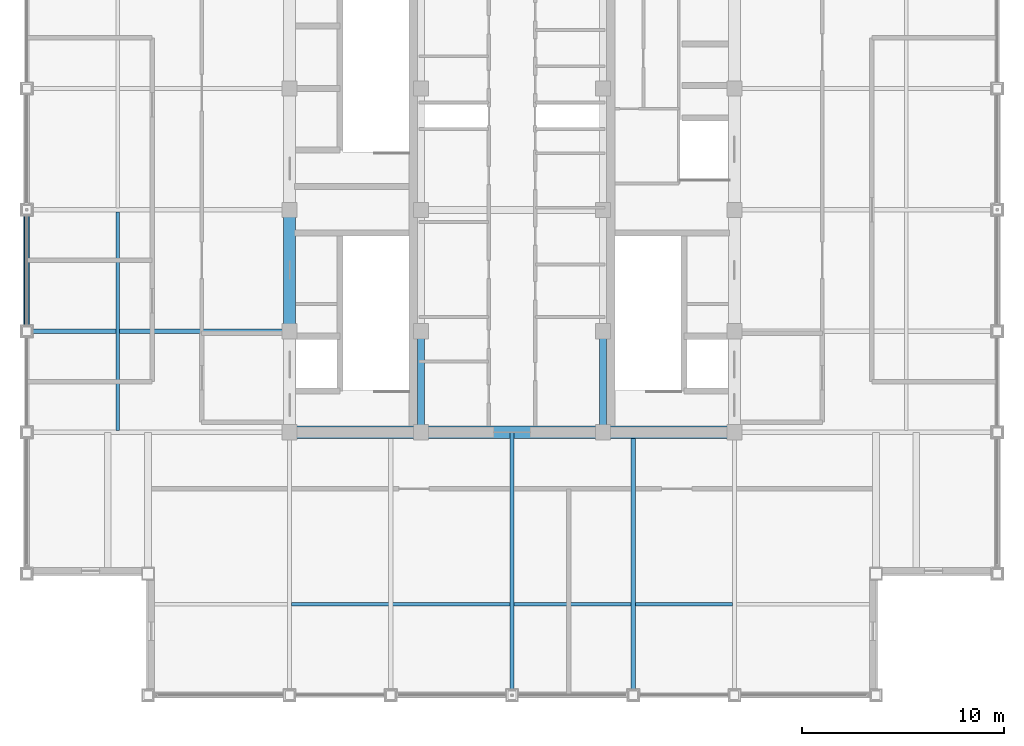
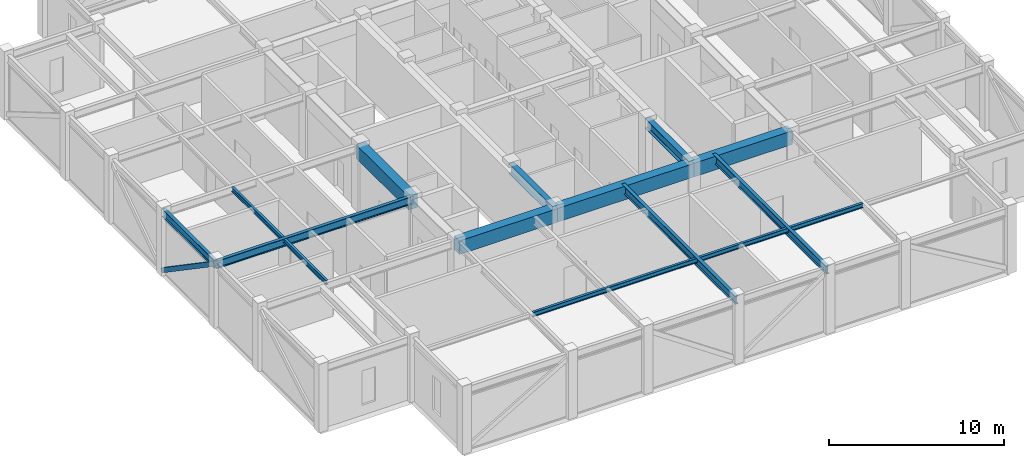
# One storey, part 5 of 27: 12 beams, 1 member.
"""IFC4 building model written with IfcOpenShell, lengths in metres."""

from ifc_helpers import new_model, si_unit, direction, frame, origin, origin_2d, place, context, subcontext, project, spatial, rectangle, hollow_rectangle, i_section, extrude, source, transform, mapped, material, material_profile, profile_set, type_object, element, save


model = new_model("IFC4")

# Units and contexts
model_context = context("Model", 3, precision=1e-05, world=origin(), true_north=direction((0.0, 1.0)))
body_context = subcontext(model_context, "Body", "Model", "MODEL_VIEW")
ifc_project = project(units=[si_unit("LENGTHUNIT", "METRE"), si_unit("AREAUNIT", "SQUARE_METRE"), si_unit("VOLUMEUNIT", "CUBIC_METRE"), si_unit("PLANEANGLEUNIT", "RADIAN"), si_unit("MASSUNIT", "GRAM", prefix="KILO")], contexts=[model_context])

# Site, building, storey
site_placement = place(None, origin())
site = spatial("IfcSite", under=ifc_project, at=site_placement, CompositionType="ELEMENT")
building_placement = place(site_placement, origin())
building = spatial("IfcBuilding", under=site, at=building_placement, Name="Khorayat Bourse Tower", CompositionType="ELEMENT")
storey_placement = place(building_placement, frame((0.0, 0.0, 399.5)))
storey = spatial("IfcBuildingStorey", under=building, at=storey_placement, Name="L94", CompositionType="ELEMENT", Elevation=399.5)

# Beams
ifc_material_1 = material(Name="Steel ASTM A992 Grade 50", Category="steel")
ifc_material_profile_1 = material_profile(ifc_material_1, i_section(OverallWidth=0.35498046875, OverallDepth=0.695068359375, WebThickness=0.015380859375, FlangeThickness=0.02490234375, FilletRadius=0.01806640625, at=origin_2d()), Name="W690X217")
ifc_profile_set_1 = profile_set([ifc_material_profile_1], Name="Steel ASTM A992 Grade 50")
beam_type_1 = type_object("IfcBeamType", Name="BM-GIRD-690", PredefinedType="BEAM", material=ifc_profile_set_1)
shared_shape_1 = source(origin(), body_context, "Body", "SweptSolid", [
    extrude(i_section(OverallWidth=0.35498046875, OverallDepth=0.695068359375, WebThickness=0.015380859375, FlangeThickness=0.02490234375, FilletRadius=0.01806640625, at=origin_2d()), origin(), (0.0, 0.0, 1.0), 5.0),
])
for number, where, z_axis, x_axis, name in (
    (1, (-4.5, -11.0, 4.152587890625), (0.0, 1.0, 0.0), (-1.0, 0.0, 0.0), "L94 BM-GIRD-690 BM-L94-CRX-05"),
    (2, (4.5, -11.0, 4.152587890625), (0.0, 1.0, 0.0), (-1.0, 0.0, 0.0), "L94 BM-GIRD-690 BM-L94-CRX-09"),
):
    element("IfcBeam", number, at=place(storey_placement, frame(where, z_axis=z_axis, x_axis=x_axis)), inside=storey, type_object=beam_type_1, Name=name, PredefinedType="BEAM", context=body_context, shape_type="MappedRepresentation", body=[
        mapped(shared_shape_1, transform((0.0, 0.0, 0.0), scale=1.0)),
    ])
ifc_material_2 = material(Name="Concrete C60/75", Category="concrete")
ifc_material_profile_2 = material_profile(ifc_material_2, rectangle(XDim=0.60009765625, YDim=0.949951171875, at=origin_2d()), Name="RC 600x950")
ifc_profile_set_2 = profile_set([ifc_material_profile_2], Name="Concrete C60/75")
beam_type_2 = type_object("IfcBeamType", Name="BM-COUP-950", PredefinedType="BEAM", material=ifc_profile_set_2)
shared_shape_2 = source(origin(), body_context, "Body", "SweptSolid", [
    extrude(rectangle(XDim=0.60009765625, YDim=0.949951171875, at=origin_2d()), origin(), (0.0, 0.0, 1.0), 6.0),
])
beam_1_placement = place(storey_placement, frame((-11.0, -6.0, 4.02490234375), z_axis=(0.0, 1.0, 0.0), x_axis=(-1.0, 0.0, 0.0)))
element("IfcBeam", 3, at=beam_1_placement, inside=storey, type_object=beam_type_2, Name="L94 BM-COUP-950 BM-L94-CRX-02", PredefinedType="BEAM", context=body_context, shape_type="MappedRepresentation", body=[
    mapped(shared_shape_2, transform((0.0, 0.0, 0.0), scale=1.0)),
])
shared_shape_3 = source(origin(), body_context, "Body", "SweptSolid", [
    extrude(rectangle(XDim=0.60009765625, YDim=0.949951171875, at=origin_2d()), origin(), (0.0, 0.0, 1.0), 6.5),
])
for number, where, z_axis, x_axis, name in (
    (4, (-11.0, -11.0, 4.02490234375), (1.0, 0.0, 0.0), (0.0, 1.0, 0.0), "L94 BM-COUP-950 BM-L94-CRY-17"),
    (5, (4.5, -11.0, 4.02490234375), (1.0, 0.0, 0.0), (0.0, 1.0, 0.0), "L94 BM-COUP-950 BM-L94-CRY-19"),
):
    element("IfcBeam", number, at=place(storey_placement, frame(where, z_axis=z_axis, x_axis=x_axis)), inside=storey, type_object=beam_type_2, Name=name, PredefinedType="BEAM", context=body_context, shape_type="MappedRepresentation", body=[
        mapped(shared_shape_3, transform((0.0, 0.0, 0.0), scale=1.0)),
    ])
shared_shape_4 = source(origin(), body_context, "Body", "SweptSolid", [
    extrude(rectangle(XDim=0.60009765625, YDim=0.949951171875, at=origin_2d()), origin(), (0.0, 0.0, 1.0), 9.0),
])
beam_2_placement = place(storey_placement, frame((-4.5, -11.0, 4.02490234375), z_axis=(1.0, 0.0, 0.0), x_axis=(0.0, 1.0, 0.0)))
element("IfcBeam", 6, at=beam_2_placement, inside=storey, type_object=beam_type_2, Name="L94 BM-COUP-950 BM-L94-CRY-18", PredefinedType="BEAM", context=body_context, shape_type="MappedRepresentation", body=[
    mapped(shared_shape_4, transform((0.0, 0.0, 0.0), scale=1.0)),
])
ifc_material_profile_3 = material_profile(ifc_material_1, i_section(OverallWidth=0.214111328125, OverallDepth=0.549072265625, WebThickness=0.0146484375, FlangeThickness=0.023681640625, FilletRadius=0.013916015625, at=origin_2d()), Name="W530X138")
ifc_profile_set_3 = profile_set([ifc_material_profile_3], Name="Steel ASTM A992 Grade 50")
beam_type_3 = type_object("IfcBeamType", Name="BM-SPAN-530", PredefinedType="SPANDREL", material=ifc_profile_set_3)
shared_shape_5 = source(origin(), body_context, "Body", "SweptSolid", [
    extrude(i_section(OverallWidth=0.214111328125, OverallDepth=0.549072265625, WebThickness=0.0146484375, FlangeThickness=0.023681640625, FilletRadius=0.013916015625, at=origin_2d()), origin(), (0.0, 0.0, 1.0), 6.0),
])
beam_3_placement = place(storey_placement, frame((-24.0, -6.0, 4.2255859375), z_axis=(0.0, 1.0, 0.0), x_axis=(-1.0, 0.0, 0.0)))
element("IfcBeam", 7, at=beam_3_placement, inside=storey, type_object=beam_type_3, Name="L94 BM-SPAN-530 BM-L94-SPN-051", PredefinedType="SPANDREL", context=body_context, shape_type="MappedRepresentation", body=[
    mapped(shared_shape_5, transform((0.0, 0.0, 0.0), scale=1.0)),
])
ifc_material_profile_4 = material_profile(ifc_material_1, i_section(OverallWidth=0.214111328125, OverallDepth=0.549072265625, WebThickness=0.0146484375, FlangeThickness=0.023681640625, FilletRadius=0.013916015625, at=origin_2d()), Name="W530X138")
ifc_profile_set_4 = profile_set([ifc_material_profile_4], Name="Steel ASTM A992 Grade 50")
beam_type_4 = type_object("IfcBeamType", Name="BM-GIRD-530", PredefinedType="BEAM", material=ifc_profile_set_4)
shared_shape_6 = source(origin(), body_context, "Body", "SweptSolid", [
    extrude(i_section(OverallWidth=0.214111328125, OverallDepth=0.549072265625, WebThickness=0.0146484375, FlangeThickness=0.023681640625, FilletRadius=0.013916015625, at=origin_2d()), origin(), (0.0, 0.0, 1.0), 13.0),
])
for number, where, z_axis, x_axis, name in (
    (8, (0.0, -24.0, 4.2255859375), (0.0, 1.0, 0.0), (-1.0, 0.0, 0.0), "L94 BM-GIRD-530 BM-L94-RADY-061"),
    (9, (6.0, -24.0, 4.2255859375), (0.0, 1.0, 0.0), (-1.0, 0.0, 0.0), "L94 BM-GIRD-530 BM-L94-RADY-063"),
    (10, (-24.0, -6.0, 4.2255859375), (1.0, 0.0, 0.0), (0.0, 1.0, 0.0), "L94 BM-GIRD-530 BM-L94-RADX-069"),
):
    element("IfcBeam", number, at=place(storey_placement, frame(where, z_axis=z_axis, x_axis=x_axis)), inside=storey, type_object=beam_type_4, Name=name, PredefinedType="BEAM", context=body_context, shape_type="MappedRepresentation", body=[
        mapped(shared_shape_6, transform((0.0, 0.0, 0.0), scale=1.0)),
    ])
ifc_material_profile_5 = material_profile(ifc_material_1, i_section(OverallWidth=0.1669921875, OverallDepth=0.31689453125, WebThickness=0.007568359375, FlangeThickness=0.01318359375, FilletRadius=0.010009765625, at=origin_2d()), Name="W310X52")
ifc_profile_set_5 = profile_set([ifc_material_profile_5], Name="Steel ASTM A992 Grade 50")
beam_type_5 = type_object("IfcBeamType", Name="BM-JOIST-310", PredefinedType="JOIST", material=ifc_profile_set_5)
shared_shape_7 = source(origin(), body_context, "Body", "SweptSolid", [
    extrude(i_section(OverallWidth=0.1669921875, OverallDepth=0.31689453125, WebThickness=0.007568359375, FlangeThickness=0.01318359375, FilletRadius=0.010009765625, at=origin_2d()), origin(), (0.0, 0.0, 1.0), 21.81005859375),
])
beam_4_placement = place(storey_placement, frame((-10.905029296875, -19.5, 4.341552734375), z_axis=(1.0, 0.0, 0.0), x_axis=(0.0, 1.0, 0.0)))
element("IfcBeam", 11, at=beam_4_placement, inside=storey, type_object=beam_type_5, Name="L94 BM-JOIST-310 BM-L94-JSTX-085", PredefinedType="JOIST", context=body_context, shape_type="MappedRepresentation", body=[
    mapped(shared_shape_7, transform((0.0, 0.0, 0.0), scale=1.0)),
])
shared_shape_8 = source(origin(), body_context, "Body", "SweptSolid", [
    extrude(i_section(OverallWidth=0.1669921875, OverallDepth=0.31689453125, WebThickness=0.007568359375, FlangeThickness=0.01318359375, FilletRadius=0.010009765625, at=origin_2d()), origin(), (0.0, 0.0, 1.0), 10.81005859375),
])
beam_5_placement = place(storey_placement, frame((-19.5, -10.905029296875, 4.341552734375), z_axis=(0.0, 1.0, 0.0), x_axis=(-1.0, 0.0, 0.0)))
element("IfcBeam", 12, at=beam_5_placement, inside=storey, type_object=beam_type_5, Name="L94 BM-JOIST-310 BM-L94-JSTY-090", PredefinedType="JOIST", context=body_context, shape_type="MappedRepresentation", body=[
    mapped(shared_shape_8, transform((0.0, 0.0, 0.0), scale=1.0)),
])

# Member
ifc_material_3 = material(Name="Steel EN 10025-2 S355J2", Category="steel")
ifc_material_profile_6 = material_profile(ifc_material_3, hollow_rectangle(XDim=0.300048828125, YDim=0.300048828125, WallThickness=0.01611328125, at=origin_2d()), Name="HSS 300x300x16")
ifc_profile_set_6 = profile_set([ifc_material_profile_6], Name="Steel EN 10025-2 S355J2")
member_type = type_object("IfcMemberType", Name="MBR-CROWN-300", PredefinedType="USERDEFINED", material=ifc_profile_set_6)
shared_shape_9 = source(origin(), body_context, "Body", "SweptSolid", [
    extrude(hollow_rectangle(XDim=0.300048828125, YDim=0.300048828125, WallThickness=0.01611328125, at=origin_2d()), origin(), (0.0, 0.0, 1.0), 7.26708984375),
])
member_placement = place(storey_placement, frame((-24.0, -6.0, 4.300048828125), z_axis=(0.0, 0.825638381691, -0.564199665614), x_axis=(-1.0, 0.0, 0.0)))
element("IfcMember", 13, at=member_placement, inside=storey, type_object=member_type, Name="L94 Lantern Crown Frame Member 10", ObjectType="CROWN FRAME", PredefinedType="USERDEFINED", context=body_context, shape_type="MappedRepresentation", body=[
    mapped(shared_shape_9, transform((0.0, 0.0, 0.0), scale=1.0)),
])

save(model, "model.ifc")
